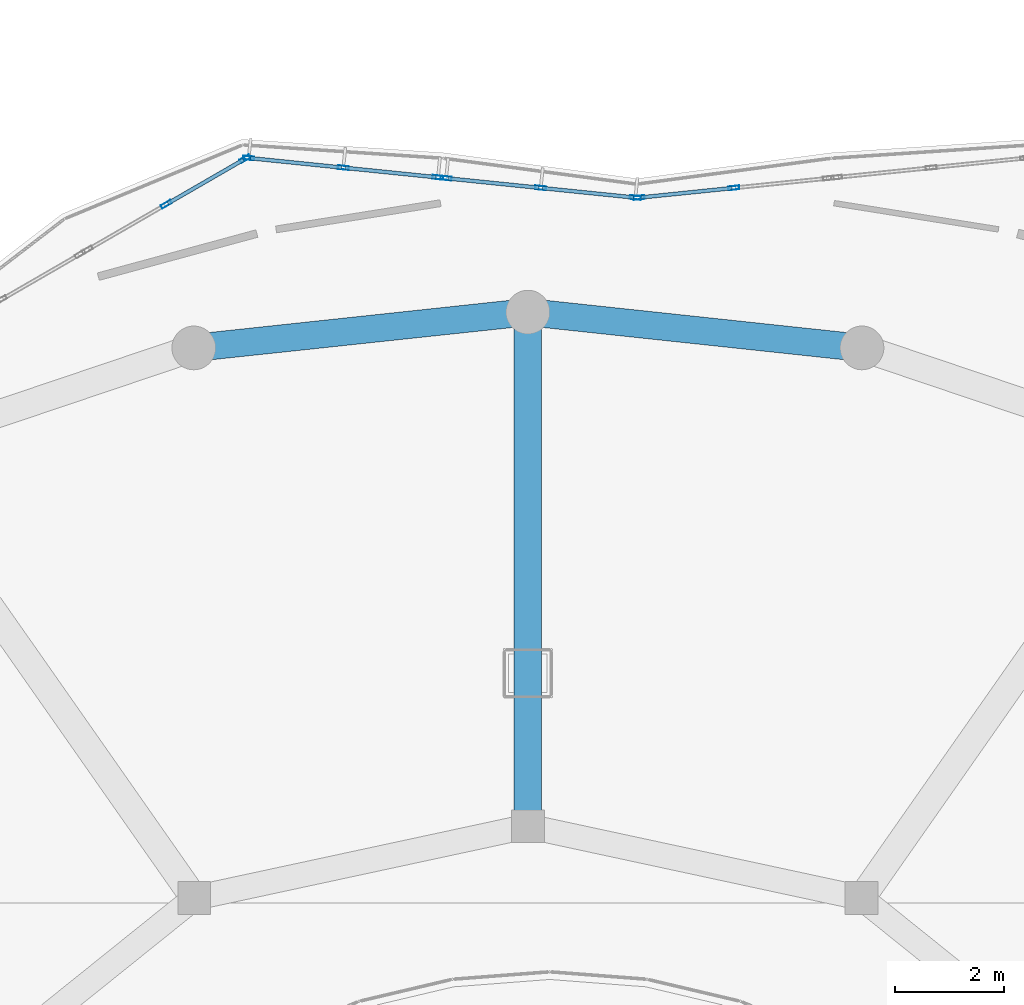
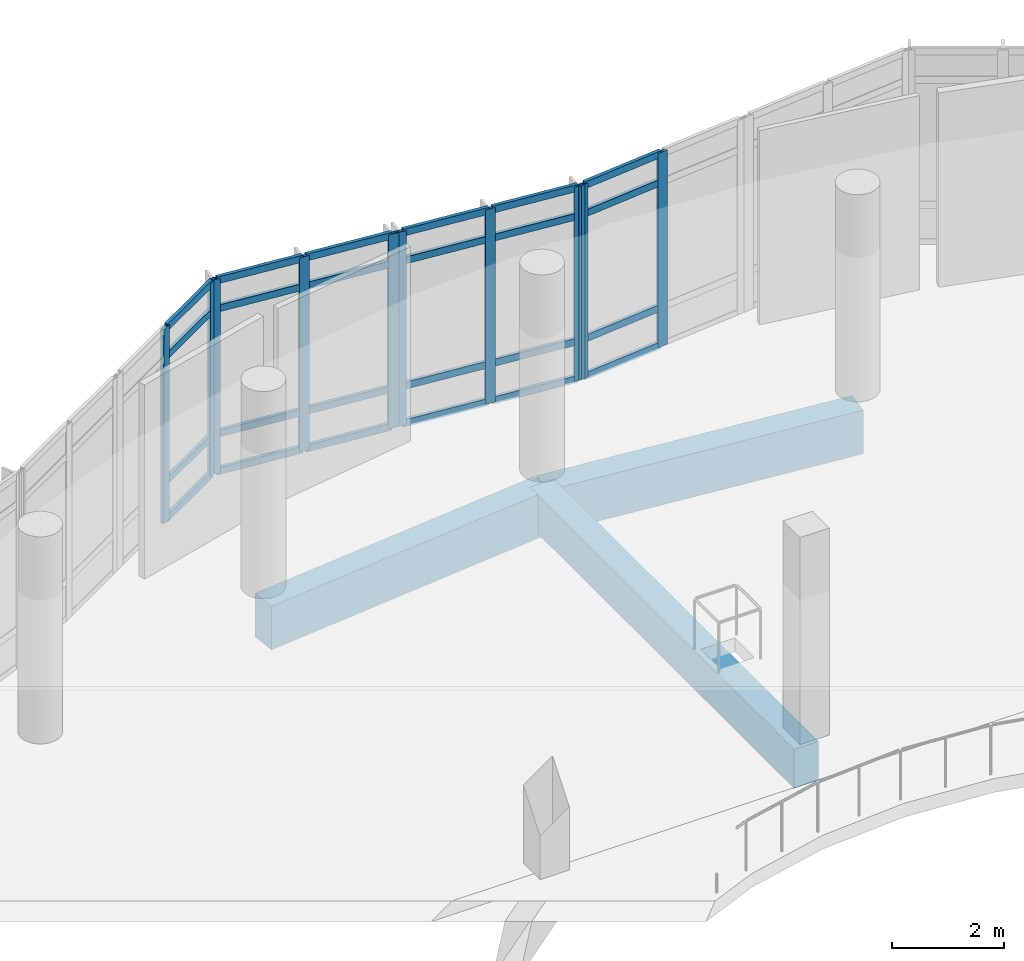
# One storey, part 13 of 46: 34 members, 3 beams, 4 elements without a shape of their own.
"""IFC4 building model written with IfcOpenShell, lengths in metres."""

from ifc_helpers import new_model, si_unit, derived_unit, direction, frame, origin, origin_2d, place, context, subcontext, project, spatial, rectangle, hollow_rectangle, extrude, material, layer, layer_set, material_profile, profile_set, type_object, element, aggregate, save


model = new_model("IFC4")

# Units and contexts
model_context = context("Model", 3, precision=1e-05, world=origin(), true_north=direction((0.0, 1.0)))
body_context = subcontext(model_context, "Body", "Model", "MODEL_VIEW")
ifc_project = project(units=[si_unit("LENGTHUNIT", "METRE"), si_unit("AREAUNIT", "SQUARE_METRE"), si_unit("VOLUMEUNIT", "CUBIC_METRE"), si_unit("PLANEANGLEUNIT", "RADIAN"), si_unit("MASSUNIT", "GRAM", prefix="KILO"), derived_unit("THERMALTRANSMITTANCEUNIT", [(si_unit("POWERUNIT", "WATT"), 1), (si_unit("LENGTHUNIT", "METRE"), -2), (si_unit("THERMODYNAMICTEMPERATUREUNIT", "KELVIN"), -1)])], contexts=[model_context])

# Site, building, storey
site_placement = place(None, origin())
site = spatial("IfcSite", under=ifc_project, at=site_placement, CompositionType="ELEMENT")
building_placement = place(site_placement, origin())
building = spatial("IfcBuilding", under=site, at=building_placement, Name="Elbkamm Science Centre", CompositionType="ELEMENT")
storey_placement = place(building_placement, frame((0.0, 0.0, 9.89990234375)))
storey = spatial("IfcBuildingStorey", under=building, at=storey_placement, Name="L02", CompositionType="ELEMENT", Elevation=9.89990234375)

# Beams
ifc_material_1 = material(Name="Concrete C40/50", Category="concrete")
ifc_material_profile_1 = material_profile(ifc_material_1, rectangle(XDim=0.5, YDim=0.85009765625, at=origin_2d()), Name="RC 500x850")
ifc_profile_set_1 = profile_set([ifc_material_profile_1], Name="Concrete C40/50")
beam_type_1 = type_object("IfcBeamType", Name="BM-RC-500x850", PredefinedType="BEAM", material=ifc_profile_set_1)
beam_placement = place(storey_placement, frame((63.0, 77.0, -0.724853515625), z_axis=(0.0, 1.0, 0.0), x_axis=(-1.0, 0.0, 0.0)))
element("IfcBeam", 1, at=beam_placement, inside=storey, type_object=beam_type_1, Name="L02 Elliptical Radial Girder 04", PredefinedType="BEAM", context=body_context, shape_type="SweptSolid", body=[
    extrude(rectangle(XDim=0.5, YDim=0.85009765625, at=origin_2d()), origin(), (0.0, 0.0, 1.0), 9.39990234375),
])
ifc_material_profile_2 = material_profile(ifc_material_1, rectangle(XDim=0.5, YDim=0.949951171875, at=origin_2d()), Name="RC 500x950")
ifc_profile_set_2 = profile_set([ifc_material_profile_2], Name="Concrete C40/50")
beam_type_2 = type_object("IfcBeamType", Name="BM-RC-500x950", PredefinedType="BEAM", material=ifc_profile_set_2)
for number, where, z_axis, x_axis, name in (
    (2, (69.10791015625, 85.74609375, -0.77490234375), (-0.994319674005, 0.106434890358, 0.0), (-0.106434890358, -0.994319674005, 0.0), "L02 Elliptical Shell Perimeter Ring Beam 06"),
    (3, (63.0, 86.39990234375, -0.77490234375), (-0.994319674005, -0.106434890358, 0.0), (0.106434890358, -0.994319674005, 0.0), "L02 Elliptical Shell Perimeter Ring Beam 07"),
):
    element("IfcBeam", number, at=place(storey_placement, frame(where, z_axis=z_axis, x_axis=x_axis)), inside=storey, type_object=beam_type_2, Name=name, PredefinedType="SPANDREL", context=body_context, shape_type="SweptSolid", body=[
        extrude(rectangle(XDim=0.5, YDim=0.949951171875, at=origin_2d()), origin(), (0.0, 0.0, 1.0), 6.142822265625),
    ])

# Curtain wall, members
ifc_material_2 = material(Name="Powder-coated aluminium and triple low-E glazing", Category="aluminium")
ifc_layer_1 = layer(ifc_material_2, 0.159912109375)
ifc_layer_set_1 = layer_set([ifc_layer_1], Name="Powder-coated aluminium and triple low-E glazing")
curtain_wall_type_1 = type_object("IfcCurtainWallType", Name="CW-UNIT-3540x4220", PredefinedType="USERDEFINED", material=ifc_layer_set_1)
curtain_wall_1_placement = place(storey_placement, origin())
curtain_wall_1 = element("IfcCurtainWall", 4, at=curtain_wall_1_placement, inside=storey, type_object=curtain_wall_type_1, Name="L02 Unitised Curtain Wall 027", ObjectType="UNITISED CURTAIN WALL", PredefinedType="USERDEFINED")
ifc_material_3 = material(Name="Powder-coated aluminium EN AW-6060", Category="aluminium")
ifc_material_profile_3 = material_profile(ifc_material_3, hollow_rectangle(XDim=0.070068359375, YDim=0.199951171875, WallThickness=0.00439453125, at=origin_2d()), Name="ALU M70x200")
ifc_profile_set_3 = profile_set([ifc_material_profile_3], Name="Powder-coated aluminium EN AW-6060")
member_type_1 = type_object("IfcMemberType", Name="CW-MUL-70x200", PredefinedType="MULLION", material=ifc_profile_set_3)
member_1_placement = place(storey_placement, frame((66.764892578125, 88.6708984375, 0.0), z_axis=(0.0, 0.0, 1.0), x_axis=(0.101905869017, -0.994794045951, 0.0)))
member_1 = element("IfcMember", 5, at=member_1_placement, type_object=member_type_1, Name="CW-015 mullion 2", PredefinedType="MULLION", context=body_context, shape_type="SweptSolid", body=[
    extrude(hollow_rectangle(XDim=0.070068359375, YDim=0.199951171875, WallThickness=0.00439453125, at=origin_2d()), origin(), (0.0, 0.0, 1.0), 4.22021484375),
])
member_2_placement = place(storey_placement, frame((65.034912109375, 88.49365234375, 0.0), z_axis=(0.0, 0.0, 1.0), x_axis=(0.101905869017, -0.994794045951, 0.0)))
member_2 = element("IfcMember", 6, at=member_2_placement, type_object=member_type_1, Name="CW-015 mullion 3", PredefinedType="MULLION", context=body_context, shape_type="SweptSolid", body=[
    extrude(hollow_rectangle(XDim=0.070068359375, YDim=0.199951171875, WallThickness=0.00439453125, at=origin_2d()), origin(), (0.0, 0.0, 1.0), 4.22021484375),
])

curtain_wall_2_placement = place(storey_placement, origin())
curtain_wall_2 = element("IfcCurtainWall", 7, at=curtain_wall_2_placement, inside=storey, type_object=curtain_wall_type_1, Name="L02 Unitised Curtain Wall 028", ObjectType="UNITISED CURTAIN WALL", PredefinedType="USERDEFINED")
member_3_placement = place(storey_placement, frame((64.965087890625, 88.49365234375, 0.0), z_axis=(0.0, 0.0, 1.0), x_axis=(-0.101905869017, -0.994794045951, 0.0)))
member_3 = element("IfcMember", 8, at=member_3_placement, type_object=member_type_1, Name="CW-015 mullion 1", PredefinedType="MULLION", context=body_context, shape_type="SweptSolid", body=[
    extrude(hollow_rectangle(XDim=0.070068359375, YDim=0.199951171875, WallThickness=0.00439453125, at=origin_2d()), origin(), (0.0, 0.0, 1.0), 4.22021484375),
])
member_4_placement = place(storey_placement, frame((63.235107421875, 88.6708984375, 0.0), z_axis=(0.0, 0.0, 1.0), x_axis=(-0.101905869017, -0.994794045951, 0.0)))
member_4 = element("IfcMember", 9, at=member_4_placement, type_object=member_type_1, Name="CW-015 mullion 2", PredefinedType="MULLION", context=body_context, shape_type="SweptSolid", body=[
    extrude(hollow_rectangle(XDim=0.070068359375, YDim=0.199951171875, WallThickness=0.00439453125, at=origin_2d()), origin(), (0.0, 0.0, 1.0), 4.22021484375),
])
member_5_placement = place(storey_placement, frame((61.5048828125, 88.84814453125, 0.0), z_axis=(0.0, 0.0, 1.0), x_axis=(-0.101905869017, -0.994794045951, 0.0)))
member_5 = element("IfcMember", 10, at=member_5_placement, type_object=member_type_1, Name="CW-015 mullion 3", PredefinedType="MULLION", context=body_context, shape_type="SweptSolid", body=[
    extrude(hollow_rectangle(XDim=0.070068359375, YDim=0.199951171875, WallThickness=0.00439453125, at=origin_2d()), origin(), (0.0, 0.0, 1.0), 4.22021484375),
])

curtain_wall_3_placement = place(storey_placement, origin())
curtain_wall_3 = element("IfcCurtainWall", 11, at=curtain_wall_3_placement, inside=storey, type_object=curtain_wall_type_1, Name="L02 Unitised Curtain Wall 029", ObjectType="UNITISED CURTAIN WALL", PredefinedType="USERDEFINED")
member_6_placement = place(storey_placement, frame((61.355712890625, 88.86328125, 0.0), z_axis=(0.0, 0.0, 1.0), x_axis=(-0.101905869017, -0.994794045951, 0.0)))
member_6 = element("IfcMember", 12, at=member_6_placement, type_object=member_type_1, Name="CW-015 mullion 1", PredefinedType="MULLION", context=body_context, shape_type="SweptSolid", body=[
    extrude(hollow_rectangle(XDim=0.070068359375, YDim=0.199951171875, WallThickness=0.00439453125, at=origin_2d()), origin(), (0.0, 0.0, 1.0), 4.22021484375),
])
member_7_placement = place(storey_placement, frame((59.625732421875, 89.04052734375, 0.0), z_axis=(0.0, 0.0, 1.0), x_axis=(-0.101905869017, -0.994794045951, 0.0)))
member_7 = element("IfcMember", 13, at=member_7_placement, type_object=member_type_1, Name="CW-015 mullion 2", PredefinedType="MULLION", context=body_context, shape_type="SweptSolid", body=[
    extrude(hollow_rectangle(XDim=0.070068359375, YDim=0.199951171875, WallThickness=0.00439453125, at=origin_2d()), origin(), (0.0, 0.0, 1.0), 4.22021484375),
])
member_8_placement = place(storey_placement, frame((57.8955078125, 89.2177734375, 0.0), z_axis=(0.0, 0.0, 1.0), x_axis=(-0.101905869017, -0.994794045951, 0.0)))
member_8 = element("IfcMember", 14, at=member_8_placement, type_object=member_type_1, Name="CW-015 mullion 3", PredefinedType="MULLION", context=body_context, shape_type="SweptSolid", body=[
    extrude(hollow_rectangle(XDim=0.070068359375, YDim=0.199951171875, WallThickness=0.00439453125, at=origin_2d()), origin(), (0.0, 0.0, 1.0), 4.22021484375),
])

ifc_layer_2 = layer(ifc_material_2, 0.159912109375)
ifc_layer_set_2 = layer_set([ifc_layer_2], Name="Powder-coated aluminium and triple low-E glazing")
curtain_wall_type_2 = type_object("IfcCurtainWallType", Name="CW-UNIT-3400x4220", PredefinedType="USERDEFINED", material=ifc_layer_set_2)
curtain_wall_4_placement = place(storey_placement, origin())
curtain_wall_4 = element("IfcCurtainWall", 15, at=curtain_wall_4_placement, inside=storey, type_object=curtain_wall_type_2, Name="L02 Unitised Curtain Wall 030", ObjectType="UNITISED CURTAIN WALL", PredefinedType="USERDEFINED")
member_9_placement = place(storey_placement, frame((57.830322265625, 89.203857421875, 0.0), z_axis=(0.0, 0.0, 1.0), x_axis=(0.500320720834, -0.865840156324, 0.0)))
member_9 = element("IfcMember", 16, at=member_9_placement, type_object=member_type_1, Name="CW-014 mullion 1", PredefinedType="MULLION", context=body_context, shape_type="SweptSolid", body=[
    extrude(hollow_rectangle(XDim=0.070068359375, YDim=0.199951171875, WallThickness=0.00439453125, at=origin_2d()), origin(), (0.0, 0.0, 1.0), 4.22021484375),
])
member_10_placement = place(storey_placement, frame((56.388916015625, 88.370849609375, 0.0), z_axis=(0.0, 0.0, 1.0), x_axis=(0.500320720834, -0.865840156324, 0.0)))
member_10 = element("IfcMember", 17, at=member_10_placement, type_object=member_type_1, Name="CW-014 mullion 2", PredefinedType="MULLION", context=body_context, shape_type="SweptSolid", body=[
    extrude(hollow_rectangle(XDim=0.070068359375, YDim=0.199951171875, WallThickness=0.00439453125, at=origin_2d()), origin(), (0.0, 0.0, 1.0), 4.22021484375),
])

# Member
ifc_material_profile_4 = material_profile(ifc_material_3, hollow_rectangle(XDim=0.070068359375, YDim=0.14990234375, WallThickness=0.00390625, at=origin_2d()), Name="ALU T70x150")
ifc_profile_set_4 = profile_set([ifc_material_profile_4], Name="Powder-coated aluminium EN AW-6060")
member_type_2 = type_object("IfcMemberType", Name="CW-TRN-70x150", PredefinedType="USERDEFINED", material=ifc_profile_set_4)
member_11_placement = place(storey_placement, frame((66.730224609375, 88.667236328125, 0.03515625), z_axis=(-0.99479094956, -0.101936091127, 0.0), x_axis=(0.101936091127, -0.99479094956, 0.0)))
member_11 = element("IfcMember", 18, at=member_11_placement, type_object=member_type_2, Name="CW-015 transom 2.1", ObjectType="TRANSOM", PredefinedType="USERDEFINED", context=body_context, shape_type="SweptSolid", body=[
    extrude(hollow_rectangle(XDim=0.070068359375, YDim=0.14990234375, WallThickness=0.00390625, at=origin_2d()), origin(), (0.0, 0.0, 1.0), 1.66943359375),
])

member_12_placement = place(storey_placement, frame((66.730224609375, 88.667236328125, 0.85009765625), z_axis=(-0.99479094956, -0.101936091127, 0.0), x_axis=(0.101936091127, -0.99479094956, 0.0)))
member_12 = element("IfcMember", 19, at=member_12_placement, type_object=member_type_2, Name="CW-015 transom 2.2", ObjectType="TRANSOM", PredefinedType="USERDEFINED", context=body_context, shape_type="SweptSolid", body=[
    extrude(hollow_rectangle(XDim=0.070068359375, YDim=0.14990234375, WallThickness=0.00390625, at=origin_2d()), origin(), (0.0, 0.0, 1.0), 1.66943359375),
])

member_13_placement = place(storey_placement, frame((66.730224609375, 88.667236328125, 3.570068359375), z_axis=(-0.99479094956, -0.101936091127, 0.0), x_axis=(0.101936091127, -0.99479094956, 0.0)))
member_13 = element("IfcMember", 20, at=member_13_placement, type_object=member_type_2, Name="CW-015 transom 2.3", ObjectType="TRANSOM", PredefinedType="USERDEFINED", context=body_context, shape_type="SweptSolid", body=[
    extrude(hollow_rectangle(XDim=0.070068359375, YDim=0.14990234375, WallThickness=0.00390625, at=origin_2d()), origin(), (0.0, 0.0, 1.0), 1.66943359375),
])

member_14_placement = place(storey_placement, frame((66.730224609375, 88.667236328125, 4.18505859375), z_axis=(-0.99479094956, -0.101936091127, 0.0), x_axis=(0.101936091127, -0.99479094956, 0.0)))
member_14 = element("IfcMember", 21, at=member_14_placement, type_object=member_type_2, Name="CW-015 transom 2.4", ObjectType="TRANSOM", PredefinedType="USERDEFINED", context=body_context, shape_type="SweptSolid", body=[
    extrude(hollow_rectangle(XDim=0.070068359375, YDim=0.14990234375, WallThickness=0.00390625, at=origin_2d()), origin(), (0.0, 0.0, 1.0), 1.66943359375),
])

aggregate(curtain_wall_1, [member_1, member_2, member_11, member_12, member_13, member_14])

member_15_placement = place(storey_placement, frame((64.930419921875, 88.4970703125, 0.03515625), z_axis=(-0.99479094956, 0.101936091127, 0.0), x_axis=(-0.101936091127, -0.99479094956, 0.0)))
member_15 = element("IfcMember", 22, at=member_15_placement, type_object=member_type_2, Name="CW-015 transom 1.1", ObjectType="TRANSOM", PredefinedType="USERDEFINED", context=body_context, shape_type="SweptSolid", body=[
    extrude(hollow_rectangle(XDim=0.070068359375, YDim=0.14990234375, WallThickness=0.00390625, at=origin_2d()), origin(), (0.0, 0.0, 1.0), 1.66943359375),
])

member_16_placement = place(storey_placement, frame((64.930419921875, 88.4970703125, 0.85009765625), z_axis=(-0.99479094956, 0.101936091127, 0.0), x_axis=(-0.101936091127, -0.99479094956, 0.0)))
member_16 = element("IfcMember", 23, at=member_16_placement, type_object=member_type_2, Name="CW-015 transom 1.2", ObjectType="TRANSOM", PredefinedType="USERDEFINED", context=body_context, shape_type="SweptSolid", body=[
    extrude(hollow_rectangle(XDim=0.070068359375, YDim=0.14990234375, WallThickness=0.00390625, at=origin_2d()), origin(), (0.0, 0.0, 1.0), 1.66943359375),
])

member_17_placement = place(storey_placement, frame((64.930419921875, 88.4970703125, 3.570068359375), z_axis=(-0.99479094956, 0.101936091127, 0.0), x_axis=(-0.101936091127, -0.99479094956, 0.0)))
member_17 = element("IfcMember", 24, at=member_17_placement, type_object=member_type_2, Name="CW-015 transom 1.3", ObjectType="TRANSOM", PredefinedType="USERDEFINED", context=body_context, shape_type="SweptSolid", body=[
    extrude(hollow_rectangle(XDim=0.070068359375, YDim=0.14990234375, WallThickness=0.00390625, at=origin_2d()), origin(), (0.0, 0.0, 1.0), 1.66943359375),
])

member_18_placement = place(storey_placement, frame((64.930419921875, 88.4970703125, 4.18505859375), z_axis=(-0.99479094956, 0.101936091127, 0.0), x_axis=(-0.101936091127, -0.99479094956, 0.0)))
member_18 = element("IfcMember", 25, at=member_18_placement, type_object=member_type_2, Name="CW-015 transom 1.4", ObjectType="TRANSOM", PredefinedType="USERDEFINED", context=body_context, shape_type="SweptSolid", body=[
    extrude(hollow_rectangle(XDim=0.070068359375, YDim=0.14990234375, WallThickness=0.00390625, at=origin_2d()), origin(), (0.0, 0.0, 1.0), 1.66943359375),
])

member_19_placement = place(storey_placement, frame((63.2001953125, 88.67431640625, 0.03515625), z_axis=(-0.994789429551, 0.101950923746, 0.0), x_axis=(-0.101950923746, -0.994789429551, 0.0)))
member_19 = element("IfcMember", 26, at=member_19_placement, type_object=member_type_2, Name="CW-015 transom 2.1", ObjectType="TRANSOM", PredefinedType="USERDEFINED", context=body_context, shape_type="SweptSolid", body=[
    extrude(hollow_rectangle(XDim=0.070068359375, YDim=0.14990234375, WallThickness=0.00390625, at=origin_2d()), origin(), (0.0, 0.0, 1.0), 1.669189453125),
])

member_20_placement = place(storey_placement, frame((63.2001953125, 88.67431640625, 0.85009765625), z_axis=(-0.994789429551, 0.101950923746, 0.0), x_axis=(-0.101950923746, -0.994789429551, 0.0)))
member_20 = element("IfcMember", 27, at=member_20_placement, type_object=member_type_2, Name="CW-015 transom 2.2", ObjectType="TRANSOM", PredefinedType="USERDEFINED", context=body_context, shape_type="SweptSolid", body=[
    extrude(hollow_rectangle(XDim=0.070068359375, YDim=0.14990234375, WallThickness=0.00390625, at=origin_2d()), origin(), (0.0, 0.0, 1.0), 1.669189453125),
])

member_21_placement = place(storey_placement, frame((63.2001953125, 88.67431640625, 3.570068359375), z_axis=(-0.994789429551, 0.101950923746, 0.0), x_axis=(-0.101950923746, -0.994789429551, 0.0)))
member_21 = element("IfcMember", 28, at=member_21_placement, type_object=member_type_2, Name="CW-015 transom 2.3", ObjectType="TRANSOM", PredefinedType="USERDEFINED", context=body_context, shape_type="SweptSolid", body=[
    extrude(hollow_rectangle(XDim=0.070068359375, YDim=0.14990234375, WallThickness=0.00390625, at=origin_2d()), origin(), (0.0, 0.0, 1.0), 1.669189453125),
])

member_22_placement = place(storey_placement, frame((63.2001953125, 88.67431640625, 4.18505859375), z_axis=(-0.994789429551, 0.101950923746, 0.0), x_axis=(-0.101950923746, -0.994789429551, 0.0)))
member_22 = element("IfcMember", 29, at=member_22_placement, type_object=member_type_2, Name="CW-015 transom 2.4", ObjectType="TRANSOM", PredefinedType="USERDEFINED", context=body_context, shape_type="SweptSolid", body=[
    extrude(hollow_rectangle(XDim=0.070068359375, YDim=0.14990234375, WallThickness=0.00390625, at=origin_2d()), origin(), (0.0, 0.0, 1.0), 1.669189453125),
])

aggregate(curtain_wall_2, [member_3, member_4, member_5, member_15, member_16, member_17, member_18, member_19, member_20, member_21, member_22])

member_23_placement = place(storey_placement, frame((61.321044921875, 88.866943359375, 0.03515625), z_axis=(-0.99479094956, 0.101936091127, 0.0), x_axis=(-0.101936091127, -0.99479094956, 0.0)))
member_23 = element("IfcMember", 30, at=member_23_placement, type_object=member_type_2, Name="CW-015 transom 1.1", ObjectType="TRANSOM", PredefinedType="USERDEFINED", context=body_context, shape_type="SweptSolid", body=[
    extrude(hollow_rectangle(XDim=0.070068359375, YDim=0.14990234375, WallThickness=0.00390625, at=origin_2d()), origin(), (0.0, 0.0, 1.0), 1.66943359375),
])

member_24_placement = place(storey_placement, frame((61.321044921875, 88.866943359375, 0.85009765625), z_axis=(-0.99479094956, 0.101936091127, 0.0), x_axis=(-0.101936091127, -0.99479094956, 0.0)))
member_24 = element("IfcMember", 31, at=member_24_placement, type_object=member_type_2, Name="CW-015 transom 1.2", ObjectType="TRANSOM", PredefinedType="USERDEFINED", context=body_context, shape_type="SweptSolid", body=[
    extrude(hollow_rectangle(XDim=0.070068359375, YDim=0.14990234375, WallThickness=0.00390625, at=origin_2d()), origin(), (0.0, 0.0, 1.0), 1.66943359375),
])

member_25_placement = place(storey_placement, frame((61.321044921875, 88.866943359375, 3.570068359375), z_axis=(-0.99479094956, 0.101936091127, 0.0), x_axis=(-0.101936091127, -0.99479094956, 0.0)))
member_25 = element("IfcMember", 32, at=member_25_placement, type_object=member_type_2, Name="CW-015 transom 1.3", ObjectType="TRANSOM", PredefinedType="USERDEFINED", context=body_context, shape_type="SweptSolid", body=[
    extrude(hollow_rectangle(XDim=0.070068359375, YDim=0.14990234375, WallThickness=0.00390625, at=origin_2d()), origin(), (0.0, 0.0, 1.0), 1.66943359375),
])

member_26_placement = place(storey_placement, frame((61.321044921875, 88.866943359375, 4.18505859375), z_axis=(-0.99479094956, 0.101936091127, 0.0), x_axis=(-0.101936091127, -0.99479094956, 0.0)))
member_26 = element("IfcMember", 33, at=member_26_placement, type_object=member_type_2, Name="CW-015 transom 1.4", ObjectType="TRANSOM", PredefinedType="USERDEFINED", context=body_context, shape_type="SweptSolid", body=[
    extrude(hollow_rectangle(XDim=0.070068359375, YDim=0.14990234375, WallThickness=0.00390625, at=origin_2d()), origin(), (0.0, 0.0, 1.0), 1.66943359375),
])

member_27_placement = place(storey_placement, frame((59.5908203125, 89.044189453125, 0.03515625), z_axis=(-0.994789429551, 0.101950923746, 0.0), x_axis=(-0.101950923746, -0.994789429551, 0.0)))
member_27 = element("IfcMember", 34, at=member_27_placement, type_object=member_type_2, Name="CW-015 transom 2.1", ObjectType="TRANSOM", PredefinedType="USERDEFINED", context=body_context, shape_type="SweptSolid", body=[
    extrude(hollow_rectangle(XDim=0.070068359375, YDim=0.14990234375, WallThickness=0.00390625, at=origin_2d()), origin(), (0.0, 0.0, 1.0), 1.669189453125),
])

member_28_placement = place(storey_placement, frame((59.5908203125, 89.044189453125, 0.85009765625), z_axis=(-0.994789429551, 0.101950923746, 0.0), x_axis=(-0.101950923746, -0.994789429551, 0.0)))
member_28 = element("IfcMember", 35, at=member_28_placement, type_object=member_type_2, Name="CW-015 transom 2.2", ObjectType="TRANSOM", PredefinedType="USERDEFINED", context=body_context, shape_type="SweptSolid", body=[
    extrude(hollow_rectangle(XDim=0.070068359375, YDim=0.14990234375, WallThickness=0.00390625, at=origin_2d()), origin(), (0.0, 0.0, 1.0), 1.669189453125),
])

member_29_placement = place(storey_placement, frame((59.5908203125, 89.044189453125, 3.570068359375), z_axis=(-0.994789429551, 0.101950923746, 0.0), x_axis=(-0.101950923746, -0.994789429551, 0.0)))
member_29 = element("IfcMember", 36, at=member_29_placement, type_object=member_type_2, Name="CW-015 transom 2.3", ObjectType="TRANSOM", PredefinedType="USERDEFINED", context=body_context, shape_type="SweptSolid", body=[
    extrude(hollow_rectangle(XDim=0.070068359375, YDim=0.14990234375, WallThickness=0.00390625, at=origin_2d()), origin(), (0.0, 0.0, 1.0), 1.669189453125),
])

member_30_placement = place(storey_placement, frame((59.5908203125, 89.044189453125, 4.18505859375), z_axis=(-0.994789429551, 0.101950923746, 0.0), x_axis=(-0.101950923746, -0.994789429551, 0.0)))
member_30 = element("IfcMember", 37, at=member_30_placement, type_object=member_type_2, Name="CW-015 transom 2.4", ObjectType="TRANSOM", PredefinedType="USERDEFINED", context=body_context, shape_type="SweptSolid", body=[
    extrude(hollow_rectangle(XDim=0.070068359375, YDim=0.14990234375, WallThickness=0.00390625, at=origin_2d()), origin(), (0.0, 0.0, 1.0), 1.669189453125),
])

aggregate(curtain_wall_3, [member_6, member_7, member_8, member_23, member_24, member_25, member_26, member_27, member_28, member_29, member_30])

member_31_placement = place(storey_placement, frame((57.800048828125, 89.186279296875, 0.03515625), z_axis=(-0.865859178689, -0.500287799851, 0.0), x_axis=(0.500287799851, -0.865859178689, 0.0)))
member_31 = element("IfcMember", 38, at=member_31_placement, type_object=member_type_2, Name="CW-014 transom 1.1", ObjectType="TRANSOM", PredefinedType="USERDEFINED", context=body_context, shape_type="SweptSolid", body=[
    extrude(hollow_rectangle(XDim=0.070068359375, YDim=0.14990234375, WallThickness=0.00390625, at=origin_2d()), origin(), (0.0, 0.0, 1.0), 1.5947265625),
])

member_32_placement = place(storey_placement, frame((57.800048828125, 89.186279296875, 0.85009765625), z_axis=(-0.865859178689, -0.500287799851, 0.0), x_axis=(0.500287799851, -0.865859178689, 0.0)))
member_32 = element("IfcMember", 39, at=member_32_placement, type_object=member_type_2, Name="CW-014 transom 1.2", ObjectType="TRANSOM", PredefinedType="USERDEFINED", context=body_context, shape_type="SweptSolid", body=[
    extrude(hollow_rectangle(XDim=0.070068359375, YDim=0.14990234375, WallThickness=0.00390625, at=origin_2d()), origin(), (0.0, 0.0, 1.0), 1.5947265625),
])

member_33_placement = place(storey_placement, frame((57.800048828125, 89.186279296875, 3.570068359375), z_axis=(-0.865859178689, -0.500287799851, 0.0), x_axis=(0.500287799851, -0.865859178689, 0.0)))
member_33 = element("IfcMember", 40, at=member_33_placement, type_object=member_type_2, Name="CW-014 transom 1.3", ObjectType="TRANSOM", PredefinedType="USERDEFINED", context=body_context, shape_type="SweptSolid", body=[
    extrude(hollow_rectangle(XDim=0.070068359375, YDim=0.14990234375, WallThickness=0.00390625, at=origin_2d()), origin(), (0.0, 0.0, 1.0), 1.5947265625),
])

member_34_placement = place(storey_placement, frame((57.800048828125, 89.186279296875, 4.18505859375), z_axis=(-0.865859178689, -0.500287799851, 0.0), x_axis=(0.500287799851, -0.865859178689, 0.0)))
member_34 = element("IfcMember", 41, at=member_34_placement, type_object=member_type_2, Name="CW-014 transom 1.4", ObjectType="TRANSOM", PredefinedType="USERDEFINED", context=body_context, shape_type="SweptSolid", body=[
    extrude(hollow_rectangle(XDim=0.070068359375, YDim=0.14990234375, WallThickness=0.00390625, at=origin_2d()), origin(), (0.0, 0.0, 1.0), 1.5947265625),
])

aggregate(curtain_wall_4, [member_9, member_10, member_31, member_32, member_33, member_34])

save(model, "model.ifc")
